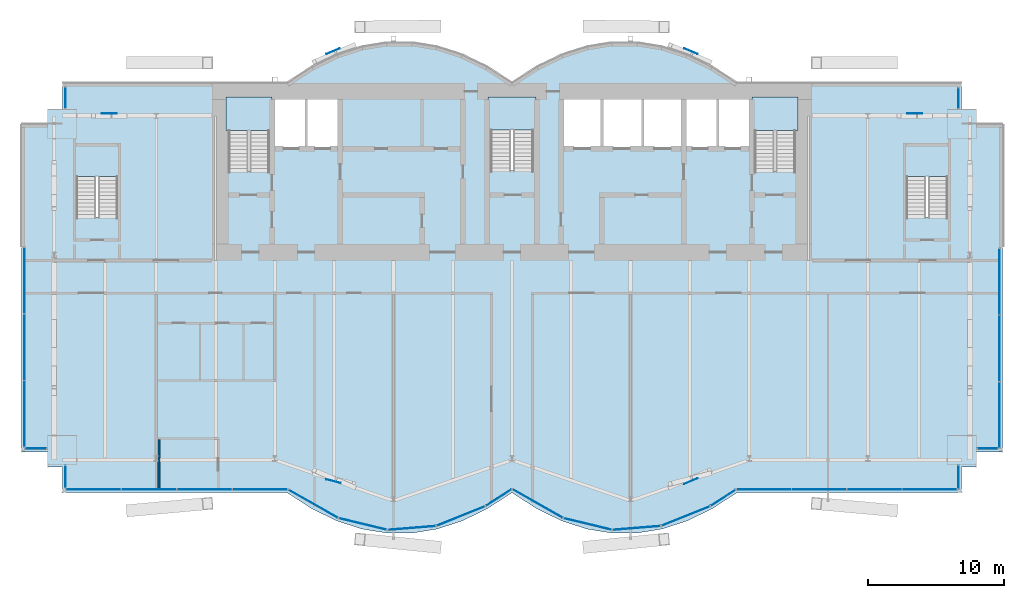
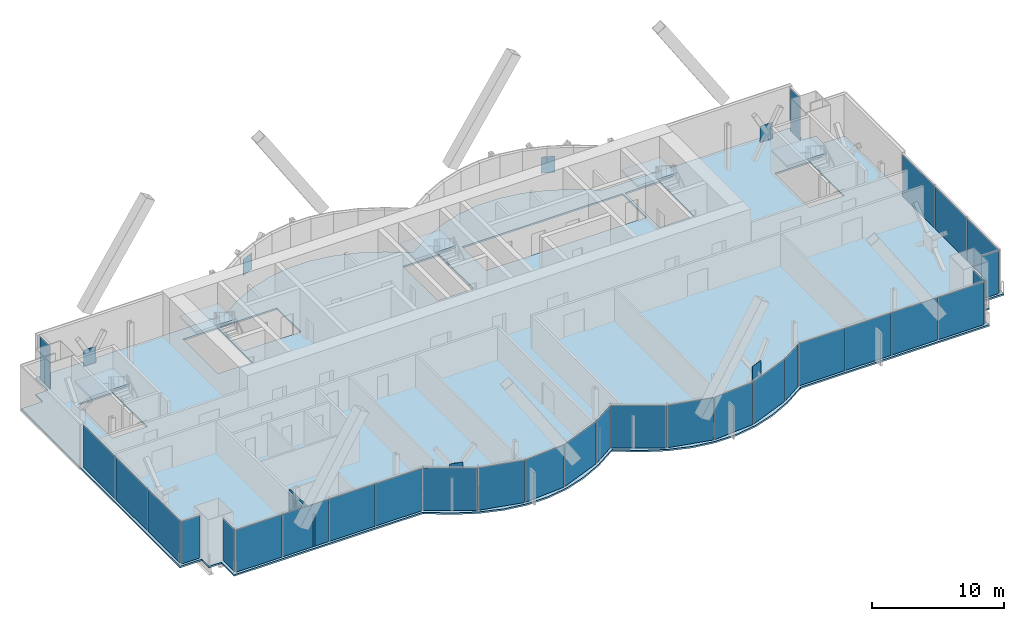
# One storey, part 13 of 20: 36 plates, 6 slabs, 1 wall, 17 elements without a shape of their own.
"""IFC4 building model written with IfcOpenShell, lengths in metres."""

from ifc_helpers import new_model, si_unit, direction, frame, frame_2d, origin, origin_2d, place, context, subcontext, project, spatial, polyline, rectangle, outline, extrude, material, layer, layer_set, type_object, element, aggregate, save


model = new_model("IFC4")

# Units and contexts
model_context = context("Model", 3, precision=1e-05, world=origin(), true_north=direction((0.0, 1.0)))
body_context = subcontext(model_context, "Body", "Model", "MODEL_VIEW")
ifc_project = project(units=[si_unit("LENGTHUNIT", "METRE"), si_unit("AREAUNIT", "SQUARE_METRE"), si_unit("VOLUMEUNIT", "CUBIC_METRE"), si_unit("PLANEANGLEUNIT", "RADIAN"), si_unit("MASSUNIT", "GRAM", prefix="KILO")], contexts=[model_context])

# Site, building, storey
site_placement = place(None, origin())
site = spatial("IfcSite", under=ifc_project, at=site_placement, CompositionType="ELEMENT")
building_placement = place(site_placement, origin())
building = spatial("IfcBuilding", under=site, at=building_placement, Name="Bicima Exchange Tower", CompositionType="ELEMENT")
storey_placement = place(building_placement, frame((0.0, 0.0, 245.60009765625)))
storey = spatial("IfcBuildingStorey", under=building, at=storey_placement, Name="L55", CompositionType="ELEMENT", Elevation=245.60009765625)

# Plates
ifc_material_1 = material(Name="Steel ASTM A572 Gr 50", Category="steel")
ifc_layer_1 = layer(ifc_material_1, 0.02490234375)
ifc_layer_set_1 = layer_set([ifc_layer_1], Name="Steel ASTM A572 Gr 50")
plate_type_1 = type_object("IfcPlateType", Name="Brace crossing gusset 25", PredefinedType="SHEET", material=ifc_layer_set_1)
for number, where, z_axis, x_axis, name in (
    (1, (-13.124267578125, 2.344970703125, 1.349853515625), (0.0, 0.0, 1.0), (0.920946171144, 0.389689812356, 0.0), "Brace crossing gusset plate"),
    (2, (13.124267578125, 2.344970703125, 1.349853515625), (0.0, 0.0, 1.0), (0.920946171144, -0.389689812356, 0.0), "Brace crossing gusset plate"),
    (3, (-13.097900390625, -29.20166015625, 1.349853515625), (0.0, 0.0, 1.0), (0.967901583186, -0.25132951531, 0.0), "Brace crossing gusset plate"),
    (4, (13.125, -29.1923828125, 1.349853515625), (0.0, 0.0, 1.0), (0.91935521456, 0.393428506163, 0.0), "Brace crossing gusset plate"),
    (5, (-29.550048828125, -2.209716796875, 1.349853515625), (0.0, 0.0, 1.0), (1.0, 0.0, 0.0), "Brace crossing gusset plate"),
    (6, (29.550048828125, -2.209716796875, 1.349853515625), (0.0, 0.0, 1.0), (1.0, 0.0, 0.0), "Brace crossing gusset plate"),
):
    element("IfcPlate", number, at=place(storey_placement, frame(where, z_axis=z_axis, x_axis=x_axis)), inside=storey, type_object=plate_type_1, Name=name, PredefinedType="SHEET", context=body_context, shape_type="SweptSolid", body=[
        extrude(rectangle(XDim=1.06689453125, YDim=0.02490234375, at=origin_2d()), origin(), (0.0, 0.0, 1.0), 1.5),
    ])

# Slab
ifc_material_2 = material(Name="Concrete C40/50", Category="concrete")
ifc_layer_2 = layer(ifc_material_2, 0.14990234375)
ifc_layer_set_2 = layer_set([ifc_layer_2], Name="Concrete C40/50")
slab_type_1 = type_object("IfcSlabType", Name="Composite floor slab 150", PredefinedType="FLOOR", material=ifc_layer_set_2)
slab_1_placement = place(storey_placement, frame((0.0, 0.0, -0.150146484375)))
element("IfcSlab", 7, at=slab_1_placement, inside=storey, type_object=slab_type_1, Name="Floor slab", PredefinedType="FLOOR", context=body_context, shape_type="SweptSolid", body=[
    extrude(outline(polyline([(-36.0, -27.0439453125), (-36.0, -3.0), (-34.10009765625, -3.0), (-34.10009765625, -1.89990234375), (-33.0, -1.89990234375), (-33.0, 0.0), (-16.5, 0.0), (-14.666748046875, 1.185302734375), (-12.833251953125, 2.07421875), (-11.0, 2.666748046875), (-9.166748046875, 2.962890625), (-7.333251953125, 2.962890625), (-5.5, 2.666748046875), (-3.666748046875, 2.07421875), (-1.833251953125, 1.185302734375), (0.0, 0.0), (1.833251953125, 1.185302734375), (3.666748046875, 2.07421875), (5.5, 2.666748046875), (7.333251953125, 2.962890625), (9.166748046875, 2.962890625), (11.0, 2.666748046875), (12.833251953125, 2.07421875), (14.666748046875, 1.185302734375), (16.5, 0.0), (33.0, 0.0), (33.0, -1.89990234375), (34.10009765625, -1.89990234375), (34.10009765625, -3.0), (36.0, -3.0), (36.0, -27.0439453125), (34.10009765625, -27.0439453125), (34.10009765625, -28.14404296875), (33.0, -28.14404296875), (33.0, -30.0439453125), (16.5, -30.0439453125), (14.666748046875, -31.229248046875), (12.833251953125, -32.1181640625), (11.0, -32.710693359375), (9.166748046875, -33.007080078125), (7.333251953125, -33.007080078125), (5.5, -32.710693359375), (3.666748046875, -32.1181640625), (1.833251953125, -31.229248046875), (0.0, -30.0439453125), (-1.833251953125, -31.229248046875), (-3.666748046875, -32.1181640625), (-5.5, -32.710693359375), (-7.333251953125, -33.007080078125), (-9.166748046875, -33.007080078125), (-11.0, -32.710693359375), (-12.833251953125, -32.1181640625), (-14.666748046875, -31.229248046875), (-16.5, -30.0439453125), (-33.0, -30.0439453125), (-33.0, -28.14404296875), (-34.10009765625, -28.14404296875), (-34.10009765625, -27.0439453125), (-36.0, -27.0439453125)]), holes=[polyline([(-28.925048828125, -9.824951171875), (-28.925048828125, -4.625), (-31.97509765625, -4.625), (-31.97509765625, -9.824951171875), (-28.925048828125, -9.824951171875)]), polyline([(-20.800048828125, -6.449951171875), (-17.800048828125, -6.449951171875), (-17.800048828125, -1.199951171875), (-20.800048828125, -1.199951171875), (-20.800048828125, -6.449951171875)]), polyline([(-1.574951171875, -6.39990234375), (1.574951171875, -6.39990234375), (1.574951171875, -1.199951171875), (-1.574951171875, -1.199951171875), (-1.574951171875, -6.39990234375)]), polyline([(-12.60009765625, -1.199951171875), (-15.10009765625, -1.199951171875), (-17.60009765625, -1.199951171875), (-17.60009765625, -4.800048828125), (-15.10009765625, -4.800048828125), (-12.60009765625, -4.800048828125), (-12.60009765625, -1.199951171875)]), polyline([(3.60009765625, -4.800048828125), (6.60009765625, -4.800048828125), (9.60009765625, -4.800048828125), (12.60009765625, -4.800048828125), (15.10009765625, -4.800048828125), (17.60009765625, -4.800048828125), (17.60009765625, -1.199951171875), (15.10009765625, -1.199951171875), (12.60009765625, -1.199951171875), (9.60009765625, -1.199951171875), (6.60009765625, -1.199951171875), (3.60009765625, -1.199951171875), (3.60009765625, -4.800048828125)]), polyline([(31.97509765625, -9.824951171875), (31.97509765625, -4.625), (28.925048828125, -4.625), (28.925048828125, -9.824951171875), (31.97509765625, -9.824951171875)]), polyline([(17.800048828125, -6.449951171875), (20.800048828125, -6.449951171875), (20.800048828125, -1.199951171875), (17.800048828125, -1.199951171875), (17.800048828125, -6.449951171875)])]), origin(), (0.0, 0.0, 1.0), 0.150146484375),
])

# Curtain wall, plates
ifc_material_3 = material(Name="Anodised bronze aluminium", Category="aluminium")
curtain_wall_type_1 = type_object("IfcCurtainWallType", Name="End face glass wall", PredefinedType="NOTDEFINED", material=ifc_material_3)
curtain_wall_1_placement = place(storey_placement, origin())
curtain_wall_1 = element("IfcCurtainWall", 8, at=curtain_wall_1_placement, inside=storey, type_object=curtain_wall_type_1, Name="End face glass wall L55 run 2", PredefinedType="NOTDEFINED")
ifc_material_4 = material(Name="Bronze tinted glass", Category="glass")
ifc_layer_3 = layer(ifc_material_4, 0.031982421875)
ifc_layer_set_3 = layer_set([ifc_layer_3], Name="Bronze tinted glass")
plate_type_2 = type_object("IfcPlateType", Name="End face glass wall glass panel 32", PredefinedType="CURTAIN_PANEL", material=ifc_layer_set_3)
plate_1_placement = place(storey_placement, frame((-35.77001953125, -14.4755859375, 0.0), z_axis=(0.0, 0.0, 1.0), x_axis=(0.0, -1.0, 0.0)))
plate_1 = element("IfcPlate", 9, at=plate_1_placement, type_object=plate_type_2, Name="End face glass wall panel 1.1", PredefinedType="CURTAIN_PANEL", context=body_context, shape_type="SweptSolid", body=[
    extrude(rectangle(XDim=4.831298828125, YDim=0.031982421875, at=origin_2d()), origin(), (0.0, 0.0, 1.0), 3.909912109375),
])
plate_2_placement = place(storey_placement, frame((-35.77001953125, -19.366943359375, 0.0), z_axis=(0.0, 0.0, 1.0), x_axis=(0.0, -1.0, 0.0)))
plate_2 = element("IfcPlate", 10, at=plate_2_placement, type_object=plate_type_2, Name="End face glass wall panel 2.1", PredefinedType="CURTAIN_PANEL", context=body_context, shape_type="SweptSolid", body=[
    extrude(rectangle(XDim=4.831298828125, YDim=0.031982421875, at=origin_2d()), origin(), (0.0, 0.0, 1.0), 3.909912109375),
])

curtain_wall_2_placement = place(storey_placement, origin())
curtain_wall_2 = element("IfcCurtainWall", 11, at=curtain_wall_2_placement, inside=storey, type_object=curtain_wall_type_1, Name="End face glass wall L55 run 19", PredefinedType="NOTDEFINED")
plate_3_placement = place(storey_placement, frame((35.77001953125, -19.447021484375, 0.0), z_axis=(0.0, 0.0, 1.0), x_axis=(0.0, 1.0, 0.0)))
plate_3 = element("IfcPlate", 12, at=plate_3_placement, type_object=plate_type_2, Name="End face glass wall panel 2.1", PredefinedType="CURTAIN_PANEL", context=body_context, shape_type="SweptSolid", body=[
    extrude(rectangle(XDim=4.831298828125, YDim=0.031982421875, at=origin_2d()), origin(), (0.0, 0.0, 1.0), 3.909912109375),
])
plate_4_placement = place(storey_placement, frame((35.77001953125, -14.5556640625, 0.0), z_axis=(0.0, 0.0, 1.0), x_axis=(0.0, 1.0, 0.0)))
plate_4 = element("IfcPlate", 13, at=plate_4_placement, type_object=plate_type_2, Name="End face glass wall panel 3.1", PredefinedType="CURTAIN_PANEL", context=body_context, shape_type="SweptSolid", body=[
    extrude(rectangle(XDim=4.831298828125, YDim=0.031982421875, at=origin_2d()), origin(), (0.0, 0.0, 1.0), 3.909912109375),
])

# Plate
ifc_material_5 = material(Name="Bronze anodised aluminium", Category="aluminium")
ifc_layer_4 = layer(ifc_material_5, 0.031982421875)
ifc_layer_set_4 = layer_set([ifc_layer_4], Name="Bronze anodised aluminium")
plate_type_3 = type_object("IfcPlateType", Name="End face glass wall spandrel panel 32", PredefinedType="CURTAIN_PANEL", material=ifc_layer_set_4)
plate_5_placement = place(storey_placement, frame((-35.77001953125, -24.25830078125, 0.0), z_axis=(0.0, 0.0, 1.0), x_axis=(0.0, -1.0, 0.0)))
plate_5 = element("IfcPlate", 14, at=plate_5_placement, type_object=plate_type_3, Name="End face spandrel wall panel 3.1", PredefinedType="CURTAIN_PANEL", context=body_context, shape_type="SweptSolid", body=[
    extrude(rectangle(XDim=4.831298828125, YDim=0.031982421875, at=origin_2d()), origin(), (0.0, 0.0, 1.0), 3.909912109375),
])

aggregate(curtain_wall_1, [plate_1, plate_2, plate_5])

plate_6_placement = place(storey_placement, frame((35.77001953125, -24.33837890625, 0.0), z_axis=(0.0, 0.0, 1.0), x_axis=(0.0, 1.0, 0.0)))
plate_6 = element("IfcPlate", 15, at=plate_6_placement, type_object=plate_type_3, Name="End face spandrel wall panel 1.1", PredefinedType="CURTAIN_PANEL", context=body_context, shape_type="SweptSolid", body=[
    extrude(rectangle(XDim=4.831298828125, YDim=0.031982421875, at=origin_2d()), origin(), (0.0, 0.0, 1.0), 3.909912109375),
])

aggregate(curtain_wall_2, [plate_6, plate_3, plate_4])

# Curtain wall, plate
curtain_wall_type_2 = type_object("IfcCurtainWallType", Name="Front glass wall", PredefinedType="NOTDEFINED", material=ifc_material_3)
curtain_wall_3_placement = place(storey_placement, origin())
curtain_wall_3 = element("IfcCurtainWall", 16, at=curtain_wall_3_placement, inside=storey, type_object=curtain_wall_type_2, Name="Front glass wall L55 run 1", PredefinedType="NOTDEFINED")
ifc_layer_5 = layer(ifc_material_4, 0.031982421875)
ifc_layer_set_5 = layer_set([ifc_layer_5], Name="Bronze tinted glass")
plate_type_4 = type_object("IfcPlateType", Name="Front glass wall glass panel 32", PredefinedType="CURTAIN_PANEL", material=ifc_layer_set_5)
plate_7_placement = place(storey_placement, frame((-32.77001953125, -1.06494140625, 0.0), z_axis=(0.0, 0.0, 1.0), x_axis=(0.0, -1.0, 0.0)))
plate_7 = element("IfcPlate", 17, at=plate_7_placement, type_object=plate_type_4, Name="Front glass wall panel 1.1", PredefinedType="CURTAIN_PANEL", context=body_context, shape_type="SweptSolid", body=[
    extrude(rectangle(XDim=1.550048828125, YDim=0.031982421875, at=origin_2d()), origin(), (0.0, 0.0, 1.0), 3.909912109375),
])
aggregate(curtain_wall_3, [plate_7])

curtain_wall_4_placement = place(storey_placement, origin())
curtain_wall_4 = element("IfcCurtainWall", 18, at=curtain_wall_4_placement, inside=storey, type_object=curtain_wall_type_2, Name="Front glass wall L55 run 3", PredefinedType="NOTDEFINED")
plate_8_placement = place(storey_placement, frame((-34.93505859375, -26.81396484375, 0.0), z_axis=(0.0, 0.0, 1.0), x_axis=(1.0, 0.0, 0.0)))
plate_8 = element("IfcPlate", 19, at=plate_8_placement, type_object=plate_type_4, Name="Front glass wall panel 1.1", PredefinedType="CURTAIN_PANEL", context=body_context, shape_type="SweptSolid", body=[
    extrude(rectangle(XDim=1.550048828125, YDim=0.031982421875, at=origin_2d()), origin(), (0.0, 0.0, 1.0), 3.909912109375),
])
aggregate(curtain_wall_4, [plate_8])

curtain_wall_5_placement = place(storey_placement, origin())
curtain_wall_5 = element("IfcCurtainWall", 20, at=curtain_wall_5_placement, inside=storey, type_object=curtain_wall_type_2, Name="Front glass wall L55 run 4", PredefinedType="NOTDEFINED")
plate_9_placement = place(storey_placement, frame((-32.77001953125, -28.8779296875, 0.0), z_axis=(0.0, 0.0, 1.0), x_axis=(0.0, -1.0, 0.0)))
plate_9 = element("IfcPlate", 21, at=plate_9_placement, type_object=plate_type_4, Name="Front glass wall panel 1.1", PredefinedType="CURTAIN_PANEL", context=body_context, shape_type="SweptSolid", body=[
    extrude(rectangle(XDim=1.592041015625, YDim=0.031982421875, at=origin_2d()), origin(), (0.0, 0.0, 1.0), 3.909912109375),
])
aggregate(curtain_wall_5, [plate_9])

# Curtain wall, plates
curtain_wall_6_placement = place(storey_placement, origin())
curtain_wall_6 = element("IfcCurtainWall", 22, at=curtain_wall_6_placement, inside=storey, type_object=curtain_wall_type_2, Name="Front glass wall L55 run 5", PredefinedType="NOTDEFINED")
plate_10_placement = place(storey_placement, frame((-22.56640625, -29.81396484375, 0.0), z_axis=(0.0, 0.0, 1.0), x_axis=(1.0, 0.0, 0.0)))
plate_10 = element("IfcPlate", 23, at=plate_10_placement, type_object=plate_type_4, Name="Front glass wall panel 3.1", PredefinedType="CURTAIN_PANEL", context=body_context, shape_type="SweptSolid", body=[
    extrude(rectangle(XDim=4.009521484375, YDim=0.031982421875, at=origin_2d()), origin(), (0.0, 0.0, 1.0), 3.909912109375),
])
plate_11_placement = place(storey_placement, frame((-18.496826171875, -29.81396484375, 0.0), z_axis=(0.0, 0.0, 1.0), x_axis=(1.0, 0.0, 0.0)))
plate_11 = element("IfcPlate", 24, at=plate_11_placement, type_object=plate_type_4, Name="Front glass wall panel 4.1", PredefinedType="CURTAIN_PANEL", context=body_context, shape_type="SweptSolid", body=[
    extrude(rectangle(XDim=4.009521484375, YDim=0.031982421875, at=origin_2d()), origin(), (0.0, 0.0, 1.0), 3.909912109375),
])

curtain_wall_7_placement = place(storey_placement, origin())
curtain_wall_7 = element("IfcCurtainWall", 25, at=curtain_wall_7_placement, inside=storey, type_object=curtain_wall_type_2, Name="Front glass wall L55 run 6", PredefinedType="NOTDEFINED")
plate_12_placement = place(storey_placement, frame((-14.589599609375, -30.859130859375, 0.0), z_axis=(0.0, 0.0, 1.0), x_axis=(0.869805110681, -0.493395449343, 0.0)))
plate_12 = element("IfcPlate", 26, at=plate_12_placement, type_object=plate_type_4, Name="Front glass wall panel 1.1", PredefinedType="CURTAIN_PANEL", context=body_context, shape_type="SweptSolid", body=[
    extrude(rectangle(XDim=4.1162109375, YDim=0.031982421875, at=origin_2d()), origin(), (0.0, 0.0, 1.0), 3.909912109375),
])
plate_13_placement = place(storey_placement, frame((-10.94775390625, -32.340576171875, 0.0), z_axis=(0.0, 0.0, 1.0), x_axis=(0.971830343553, -0.235681529503, 0.0)))
plate_13 = element("IfcPlate", 27, at=plate_13_placement, type_object=plate_type_4, Name="Front glass wall panel 1.1", PredefinedType="CURTAIN_PANEL", context=body_context, shape_type="SweptSolid", body=[
    extrude(rectangle(XDim=3.583251953125, YDim=0.031982421875, at=origin_2d()), origin(), (0.0, 0.0, 1.0), 3.909912109375),
])
plate_14_placement = place(storey_placement, frame((-0.97314453125, -30.399169921875, 0.0), z_axis=(0.0, 0.0, 1.0), x_axis=(0.839798994301, 0.542897457326, 0.0)))
plate_14 = element("IfcPlate", 28, at=plate_14_placement, type_object=plate_type_4, Name="Front glass wall panel 1.1", PredefinedType="CURTAIN_PANEL", context=body_context, shape_type="SweptSolid", body=[
    extrude(rectangle(XDim=2.197509765625, YDim=0.031982421875, at=origin_2d()), origin(), (0.0, 0.0, 1.0), 3.909912109375),
])

curtain_wall_8_placement = place(storey_placement, origin())
curtain_wall_8 = element("IfcCurtainWall", 29, at=curtain_wall_8_placement, inside=storey, type_object=curtain_wall_type_2, Name="Front glass wall L55 run 11", PredefinedType="NOTDEFINED")
plate_15_placement = place(storey_placement, frame((1.876220703125, -30.837158203125, 0.0), z_axis=(0.0, 0.0, 1.0), x_axis=(0.869274147378, -0.494330311331, 0.0)))
plate_15 = element("IfcPlate", 30, at=plate_15_placement, type_object=plate_type_4, Name="Front glass wall panel 1.1", PredefinedType="CURTAIN_PANEL", context=body_context, shape_type="SweptSolid", body=[
    extrude(rectangle(XDim=4.197021484375, YDim=0.031982421875, at=origin_2d()), origin(), (0.0, 0.0, 1.0), 3.909912109375),
])
plate_16_placement = place(storey_placement, frame((9.14892578125, -32.631591796875, 0.0), z_axis=(0.0, 0.0, 1.0), x_axis=(0.99674744821, 0.080588612633, 0.0)))
plate_16 = element("IfcPlate", 31, at=plate_16_placement, type_object=plate_type_4, Name="Front glass wall panel 1.1", PredefinedType="CURTAIN_PANEL", context=body_context, shape_type="SweptSolid", body=[
    extrude(rectangle(XDim=3.486083984375, YDim=0.031982421875, at=origin_2d()), origin(), (0.0, 0.0, 1.0), 3.909912109375),
])
plate_17_placement = place(storey_placement, frame((12.749755859375, -31.75732421875, 0.0), z_axis=(0.0, 0.0, 1.0), x_axis=(0.92714396679, 0.374705304, 0.0)))
plate_17 = element("IfcPlate", 32, at=plate_17_placement, type_object=plate_type_4, Name="Front glass wall panel 1.1", PredefinedType="CURTAIN_PANEL", context=body_context, shape_type="SweptSolid", body=[
    extrude(rectangle(XDim=3.771240234375, YDim=0.031982421875, at=origin_2d()), origin(), (0.0, 0.0, 1.0), 3.909912109375),
])
plate_18_placement = place(storey_placement, frame((15.492919921875, -30.421142578125, 0.0), z_axis=(0.0, 0.0, 1.0), x_axis=(0.839791413941, 0.542909183079, 0.0)))
plate_18 = element("IfcPlate", 33, at=plate_18_placement, type_object=plate_type_4, Name="Front glass wall panel 1.1", PredefinedType="CURTAIN_PANEL", context=body_context, shape_type="SweptSolid", body=[
    extrude(rectangle(XDim=2.11669921875, YDim=0.031982421875, at=origin_2d()), origin(), (0.0, 0.0, 1.0), 3.909912109375),
])

curtain_wall_9_placement = place(storey_placement, origin())
curtain_wall_9 = element("IfcCurtainWall", 34, at=curtain_wall_9_placement, inside=storey, type_object=curtain_wall_type_2, Name="Front glass wall L55 run 16", PredefinedType="NOTDEFINED")
plate_19_placement = place(storey_placement, frame((18.48681640625, -29.81396484375, 0.0), z_axis=(0.0, 0.0, 1.0), x_axis=(1.0, 0.0, 0.0)))
plate_19 = element("IfcPlate", 35, at=plate_19_placement, type_object=plate_type_4, Name="Front glass wall panel 1.1", PredefinedType="CURTAIN_PANEL", context=body_context, shape_type="SweptSolid", body=[
    extrude(rectangle(XDim=3.989501953125, YDim=0.031982421875, at=origin_2d()), origin(), (0.0, 0.0, 1.0), 3.909912109375),
])
plate_20_placement = place(storey_placement, frame((22.536376953125, -29.81396484375, 0.0), z_axis=(0.0, 0.0, 1.0), x_axis=(1.0, 0.0, 0.0)))
plate_20 = element("IfcPlate", 36, at=plate_20_placement, type_object=plate_type_4, Name="Front glass wall panel 2.1", PredefinedType="CURTAIN_PANEL", context=body_context, shape_type="SweptSolid", body=[
    extrude(rectangle(XDim=3.989501953125, YDim=0.031982421875, at=origin_2d()), origin(), (0.0, 0.0, 1.0), 3.909912109375),
])

# Curtain wall, plate
curtain_wall_10_placement = place(storey_placement, origin())
curtain_wall_10 = element("IfcCurtainWall", 37, at=curtain_wall_10_placement, inside=storey, type_object=curtain_wall_type_2, Name="Front glass wall L55 run 17", PredefinedType="NOTDEFINED")
plate_21_placement = place(storey_placement, frame((32.77001953125, -28.91796875, 0.0), z_axis=(0.0, 0.0, 1.0), x_axis=(0.0, 1.0, 0.0)))
plate_21 = element("IfcPlate", 38, at=plate_21_placement, type_object=plate_type_4, Name="Front glass wall panel 1.1", PredefinedType="CURTAIN_PANEL", context=body_context, shape_type="SweptSolid", body=[
    extrude(rectangle(XDim=1.672119140625, YDim=0.031982421875, at=origin_2d()), origin(), (0.0, 0.0, 1.0), 3.909912109375),
])
aggregate(curtain_wall_10, [plate_21])

curtain_wall_11_placement = place(storey_placement, origin())
curtain_wall_11 = element("IfcCurtainWall", 39, at=curtain_wall_11_placement, inside=storey, type_object=curtain_wall_type_2, Name="Front glass wall L55 run 18", PredefinedType="NOTDEFINED")
plate_22_placement = place(storey_placement, frame((34.89501953125, -26.81396484375, 0.0), z_axis=(0.0, 0.0, 1.0), x_axis=(1.0, 0.0, 0.0)))
plate_22 = element("IfcPlate", 40, at=plate_22_placement, type_object=plate_type_4, Name="Front glass wall panel 1.1", PredefinedType="CURTAIN_PANEL", context=body_context, shape_type="SweptSolid", body=[
    extrude(rectangle(XDim=1.469970703125, YDim=0.031982421875, at=origin_2d()), origin(), (0.0, 0.0, 1.0), 3.909912109375),
])
aggregate(curtain_wall_11, [plate_22])

curtain_wall_12_placement = place(storey_placement, origin())
curtain_wall_12 = element("IfcCurtainWall", 41, at=curtain_wall_12_placement, inside=storey, type_object=curtain_wall_type_2, Name="Front glass wall L55 run 20", PredefinedType="NOTDEFINED")
plate_23_placement = place(storey_placement, frame((32.77001953125, -1.10498046875, 0.0), z_axis=(0.0, 0.0, 1.0), x_axis=(0.0, 1.0, 0.0)))
plate_23 = element("IfcPlate", 42, at=plate_23_placement, type_object=plate_type_4, Name="Front glass wall panel 1.1", PredefinedType="CURTAIN_PANEL", context=body_context, shape_type="SweptSolid", body=[
    extrude(rectangle(XDim=1.469970703125, YDim=0.031982421875, at=origin_2d()), origin(), (0.0, 0.0, 1.0), 3.909912109375),
])
aggregate(curtain_wall_12, [plate_23])

# Plate
ifc_layer_6 = layer(ifc_material_5, 0.031982421875)
ifc_layer_set_6 = layer_set([ifc_layer_6], Name="Bronze anodised aluminium")
plate_type_5 = type_object("IfcPlateType", Name="Front glass wall spandrel panel 32", PredefinedType="CURTAIN_PANEL", material=ifc_layer_set_6)
plate_24_placement = place(storey_placement, frame((-30.705322265625, -29.81396484375, 0.0), z_axis=(0.0, 0.0, 1.0), x_axis=(1.0, 0.0, 0.0)))
plate_24 = element("IfcPlate", 43, at=plate_24_placement, type_object=plate_type_5, Name="Front spandrel wall panel 1.1", PredefinedType="CURTAIN_PANEL", context=body_context, shape_type="SweptSolid", body=[
    extrude(rectangle(XDim=4.009521484375, YDim=0.031982421875, at=origin_2d()), origin(), (0.0, 0.0, 1.0), 3.909912109375),
])

plate_25_placement = place(storey_placement, frame((-26.6357421875, -29.81396484375, 0.0), z_axis=(0.0, 0.0, 1.0), x_axis=(1.0, 0.0, 0.0)))
plate_25 = element("IfcPlate", 44, at=plate_25_placement, type_object=plate_type_5, Name="Front spandrel wall panel 2.1", PredefinedType="CURTAIN_PANEL", context=body_context, shape_type="SweptSolid", body=[
    extrude(rectangle(XDim=4.009521484375, YDim=0.031982421875, at=origin_2d()), origin(), (0.0, 0.0, 1.0), 3.909912109375),
])

aggregate(curtain_wall_6, [plate_24, plate_25, plate_10, plate_11])

plate_26_placement = place(storey_placement, frame((-7.35107421875, -32.631591796875, 0.0), z_axis=(0.0, 0.0, 1.0), x_axis=(0.99674744821, 0.080588612633, 0.0)))
plate_26 = element("IfcPlate", 45, at=plate_26_placement, type_object=plate_type_5, Name="Front spandrel wall panel 1.1", PredefinedType="CURTAIN_PANEL", context=body_context, shape_type="SweptSolid", body=[
    extrude(rectangle(XDim=3.486083984375, YDim=0.031982421875, at=origin_2d()), origin(), (0.0, 0.0, 1.0), 3.909912109375),
])

plate_27_placement = place(storey_placement, frame((-3.750244140625, -31.75732421875, 0.0), z_axis=(0.0, 0.0, 1.0), x_axis=(0.92714396679, 0.374705304, 0.0)))
plate_27 = element("IfcPlate", 46, at=plate_27_placement, type_object=plate_type_5, Name="Front spandrel wall panel 1.1", PredefinedType="CURTAIN_PANEL", context=body_context, shape_type="SweptSolid", body=[
    extrude(rectangle(XDim=3.771240234375, YDim=0.031982421875, at=origin_2d()), origin(), (0.0, 0.0, 1.0), 3.909912109375),
])

aggregate(curtain_wall_7, [plate_12, plate_13, plate_26, plate_27, plate_14])

plate_28_placement = place(storey_placement, frame((5.55224609375, -32.340576171875, 0.0), z_axis=(0.0, 0.0, 1.0), x_axis=(0.971830343553, -0.235681529503, 0.0)))
plate_28 = element("IfcPlate", 47, at=plate_28_placement, type_object=plate_type_5, Name="Front spandrel wall panel 1.1", PredefinedType="CURTAIN_PANEL", context=body_context, shape_type="SweptSolid", body=[
    extrude(rectangle(XDim=3.583251953125, YDim=0.031982421875, at=origin_2d()), origin(), (0.0, 0.0, 1.0), 3.909912109375),
])

aggregate(curtain_wall_8, [plate_15, plate_28, plate_16, plate_17, plate_18])

plate_29_placement = place(storey_placement, frame((26.585693359375, -29.81396484375, 0.0), z_axis=(0.0, 0.0, 1.0), x_axis=(1.0, 0.0, 0.0)))
plate_29 = element("IfcPlate", 48, at=plate_29_placement, type_object=plate_type_5, Name="Front spandrel wall panel 3.1", PredefinedType="CURTAIN_PANEL", context=body_context, shape_type="SweptSolid", body=[
    extrude(rectangle(XDim=3.989501953125, YDim=0.031982421875, at=origin_2d()), origin(), (0.0, 0.0, 1.0), 3.909912109375),
])

plate_30_placement = place(storey_placement, frame((30.63525390625, -29.81396484375, 0.0), z_axis=(0.0, 0.0, 1.0), x_axis=(1.0, 0.0, 0.0)))
plate_30 = element("IfcPlate", 49, at=plate_30_placement, type_object=plate_type_5, Name="Front spandrel wall panel 4.1", PredefinedType="CURTAIN_PANEL", context=body_context, shape_type="SweptSolid", body=[
    extrude(rectangle(XDim=3.989501953125, YDim=0.031982421875, at=origin_2d()), origin(), (0.0, 0.0, 1.0), 3.909912109375),
])

aggregate(curtain_wall_9, [plate_19, plate_20, plate_29, plate_30])

# Stair, slab
ifc_material_6 = material(Name="Concrete C50/60", Category="concrete")
stair_type_1 = type_object("IfcStairType", Name="Exit stair", PredefinedType="HALF_TURN_STAIR", material=ifc_material_6)
stair_1_placement = place(storey_placement, origin())
stair_1 = element("IfcStair", 50, at=stair_1_placement, inside=storey, type_object=stair_type_1, Name="L55 West exit stair", PredefinedType="HALF_TURN_STAIR")
ifc_layer_7 = layer(ifc_material_6, 0.199951171875)
ifc_layer_set_7 = layer_set([ifc_layer_7], Name="Concrete C50/60")
slab_type_2 = type_object("IfcSlabType", Name="Stair landing slab", PredefinedType="LANDING", material=ifc_layer_set_7)
slab_2_placement = place(storey_placement, frame((0.0, 0.0, 1.89990234375)))
slab_2 = element("IfcSlab", 51, at=slab_2_placement, type_object=slab_type_2, Name="ST-W landing 1", PredefinedType="LANDING", context=body_context, shape_type="SweptSolid", body=[
    extrude(outline(polyline([(-17.60009765625, -3.469970703125), (-17.60009765625, -1.0), (-21.0, -1.0), (-21.0, -3.469970703125), (-17.60009765625, -3.469970703125)])), origin(), (0.0, 0.0, 1.0), 0.199951171875),
])
aggregate(stair_1, [slab_2])

stair_type_2 = type_object("IfcStairType", Name="Exit stair 1500", PredefinedType="HALF_TURN_STAIR", material=ifc_material_6)
stair_2_placement = place(storey_placement, origin())
stair_2 = element("IfcStair", 52, at=stair_2_placement, inside=storey, type_object=stair_type_2, Name="L55 Central exit stair", PredefinedType="HALF_TURN_STAIR")
slab_3_placement = place(storey_placement, frame((0.0, 0.0, 1.89990234375)))
slab_3 = element("IfcSlab", 53, at=slab_3_placement, type_object=slab_type_2, Name="ST-C landing 1", PredefinedType="LANDING", context=body_context, shape_type="SweptSolid", body=[
    extrude(outline(polyline([(1.77490234375, -3.419921875), (1.77490234375, -1.0), (-1.77490234375, -1.0), (-1.77490234375, -3.419921875), (1.77490234375, -3.419921875)])), origin(), (0.0, 0.0, 1.0), 0.199951171875),
])
aggregate(stair_2, [slab_3])

stair_3_placement = place(storey_placement, origin())
stair_3 = element("IfcStair", 54, at=stair_3_placement, inside=storey, type_object=stair_type_1, Name="L55 East exit stair", PredefinedType="HALF_TURN_STAIR")
slab_4_placement = place(storey_placement, frame((0.0, 0.0, 1.89990234375)))
slab_4 = element("IfcSlab", 55, at=slab_4_placement, type_object=slab_type_2, Name="ST-E landing 1", PredefinedType="LANDING", context=body_context, shape_type="SweptSolid", body=[
    extrude(outline(polyline([(21.0, -3.469970703125), (21.0, -1.0), (17.60009765625, -1.0), (17.60009765625, -3.469970703125), (21.0, -3.469970703125)])), origin(), (0.0, 0.0, 1.0), 0.199951171875),
])
aggregate(stair_3, [slab_4])

stair_4_placement = place(storey_placement, origin())
stair_4 = element("IfcStair", 56, at=stair_4_placement, inside=storey, type_object=stair_type_1, Name="L55 West end exit stair", PredefinedType="HALF_TURN_STAIR")
slab_5_placement = place(storey_placement, frame((0.0, 0.0, 1.89990234375)))
slab_5 = element("IfcSlab", 57, at=slab_5_placement, type_object=slab_type_2, Name="ST-WW landing 1", PredefinedType="LANDING", context=body_context, shape_type="SweptSolid", body=[
    extrude(outline(polyline([(-28.72509765625, -6.844970703125), (-28.72509765625, -4.425048828125), (-32.175048828125, -4.425048828125), (-32.175048828125, -6.844970703125), (-28.72509765625, -6.844970703125)])), origin(), (0.0, 0.0, 1.0), 0.199951171875),
])
aggregate(stair_4, [slab_5])

stair_5_placement = place(storey_placement, origin())
stair_5 = element("IfcStair", 58, at=stair_5_placement, inside=storey, type_object=stair_type_1, Name="L55 East end exit stair", PredefinedType="HALF_TURN_STAIR")
slab_6_placement = place(storey_placement, frame((0.0, 0.0, 1.89990234375)))
slab_6 = element("IfcSlab", 59, at=slab_6_placement, type_object=slab_type_2, Name="ST-EE landing 1", PredefinedType="LANDING", context=body_context, shape_type="SweptSolid", body=[
    extrude(outline(polyline([(32.175048828125, -6.844970703125), (32.175048828125, -4.425048828125), (28.72509765625, -4.425048828125), (28.72509765625, -6.844970703125), (32.175048828125, -6.844970703125)])), origin(), (0.0, 0.0, 1.0), 0.199951171875),
])
aggregate(stair_5, [slab_6])

# Wall
ifc_material_7 = material(Name="Gypsum board partition")
ifc_layer_8 = layer(ifc_material_7, 0.14990234375)
ifc_layer_set_8 = layer_set([ifc_layer_8], Name="Gypsum board partition")
wall_type = type_object("IfcWallType", Name="Gypsum partition 150", PredefinedType="PARTITIONING", material=ifc_layer_set_8)
wall_placement = place(storey_placement, frame((-25.89990234375, -29.830078125, 0.0), z_axis=(0.0, 0.0, 1.0), x_axis=(0.0, 1.0, 0.0)))
element("IfcWall", 60, at=wall_placement, inside=storey, type_object=wall_type, Name="partition wall 15", PredefinedType="PARTITIONING", context=body_context, shape_type="SweptSolid", body=[
    extrude(rectangle(XDim=3.675048828125, YDim=0.14990234375, at=frame_2d((1.83740234375, 0.0))), origin(), (0.0, 0.0, 1.0), 3.039306640625),
])

save(model, "model.ifc")
